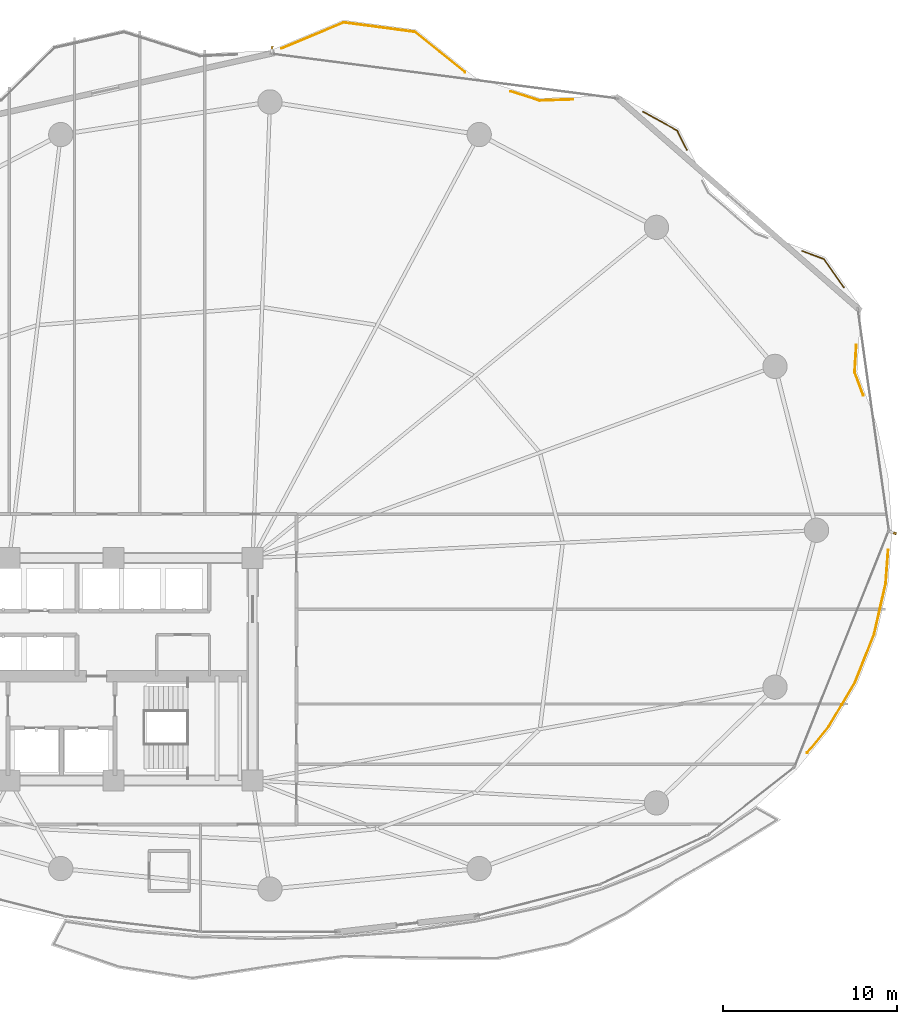
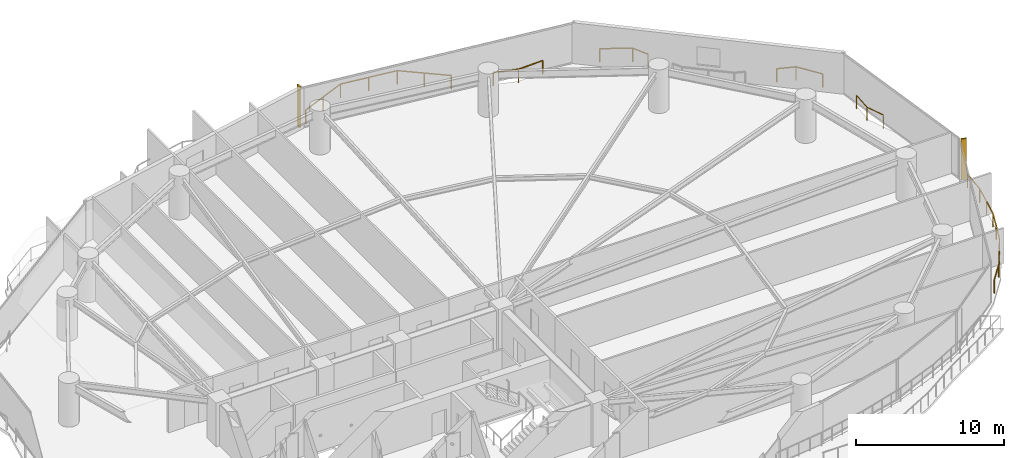
# One storey, part 31 of 31: 6 railings, 2 shading devices.
"""IFC4 building model written with IfcOpenShell, lengths in metres."""

import ifcopenshell
import ifcopenshell.guid

model = None  # the IFC model being written
_history = None  # IfcOwnerHistory: only IFC2X3 demands one
_inside = {}  # id of a spatial element -> (the spatial element, [elements in it])
_under = {}  # id of a project, library or spatial element -> (it, [spatial elements below it])
_declared = {}  # id of a project -> (the project, [libraries it declares])
_typed = {}  # id of a type object -> (the type object, [elements of that type])
_made_of = {}  # id of a material, layer set ... -> (it, [elements and type objects made of it])


def new_model(schema):
    """Start an empty IFC model of exactly this schema.

    Asked for "IFC4X3", IfcOpenShell would pick the latest addendum, in which some entities
    have other attributes; the version numbers below select the first issue.
    IFC2X3 requires an IfcOwnerHistory on every rooted entity: one is made here for all.
    """
    global model, _history
    if schema == "IFC4X3":
        model = ifcopenshell.file(schema_version=(4, 3, 0, 0))
    else:
        model = ifcopenshell.file(schema=schema)
    _inside.clear()
    _under.clear()
    _declared.clear()
    _typed.clear()
    _made_of.clear()
    _history = None
    if model.schema == "IFC2X3":
        org = make("IfcOrganization", Name="unknown")
        user = make(
            "IfcPersonAndOrganization",
            ThePerson=make("IfcPerson", FamilyName="unknown"),
            TheOrganization=org,
        )
        app = make(
            "IfcApplication",
            ApplicationDeveloper=org,
            Version="unknown",
            ApplicationFullName="unknown",
            ApplicationIdentifier="unknown",
        )
        _history = make(
            "IfcOwnerHistory",
            OwningUser=user,
            OwningApplication=app,
            ChangeAction="ADDED",
            CreationDate=0,
        )
    return model


def make(cls, **values):
    """One entity of the class cls with the attributes given. An attribute that is None is left unset."""
    return model.create_entity(
        cls, **{name: value for name, value in values.items() if value is not None}
    )


def rooted(cls, **values):
    """An entity with a GlobalId (a new one), such as an element, a storey or a relation."""
    return make(cls, GlobalId=ifcopenshell.guid.new(), OwnerHistory=_history, **values)


def si_unit(unit_type, name, prefix=None):
    """IfcSIUnit, for example si_unit("LENGTHUNIT", "METRE", prefix="MILLI")."""
    return make("IfcSIUnit", UnitType=unit_type, Prefix=prefix, Name=name)


def assignment(units):
    """IfcUnitAssignment: the units of a project."""
    return None if units is None else make("IfcUnitAssignment", Units=units)


def point(xyz):
    """IfcCartesianPoint."""
    return None if xyz is None else make("IfcCartesianPoint", Coordinates=xyz)


def direction(xyz):
    """IfcDirection."""
    return None if xyz is None else make("IfcDirection", DirectionRatios=xyz)


def frame(location, z_axis=None, x_axis=None):
    """IfcAxis2Placement3D, a coordinate frame: its origin and axes. An axis left out is left unset."""
    return make(
        "IfcAxis2Placement3D",
        Location=point(location),
        Axis=direction(z_axis),
        RefDirection=direction(x_axis),
    )


def frame_2d(location, x_axis=None):
    """IfcAxis2Placement2D, a coordinate frame in the plane: its origin and x axis."""
    return make(
        "IfcAxis2Placement2D", Location=point(location), RefDirection=direction(x_axis)
    )


def origin():
    """The frame at (0, 0, 0) with its axes left unset."""
    return frame((0.0, 0.0, 0.0))


def origin_2d():
    """The frame at (0, 0) in the plane with its x axis left unset."""
    return frame_2d((0.0, 0.0))


def place(relative_to, where):
    """IfcLocalPlacement: puts the frame where relative to a parent placement (None: the world)."""
    return make(
        "IfcLocalPlacement", PlacementRelTo=relative_to, RelativePlacement=where
    )


def context(
    kind, dimensions, precision=None, world=None, true_north=None, identifier=None
):
    """IfcGeometricRepresentationContext, for example the 3D "Model" context."""
    return make(
        "IfcGeometricRepresentationContext",
        ContextIdentifier=identifier,
        ContextType=kind,
        CoordinateSpaceDimension=dimensions,
        Precision=precision,
        WorldCoordinateSystem=world,
        TrueNorth=true_north,
    )


def subcontext(parent, identifier, kind, view, scale=None):
    """IfcGeometricRepresentationSubContext, for example "Body" below "Model"."""
    return make(
        "IfcGeometricRepresentationSubContext",
        ContextIdentifier=identifier,
        ContextType=kind,
        ParentContext=parent,
        TargetScale=scale,
        TargetView=view,
    )


def project(units=None, contexts=None):
    """IfcProject with its units and contexts."""
    return rooted(
        "IfcProject",
        Name="project",
        RepresentationContexts=contexts,
        UnitsInContext=assignment(units),
    )


def spatial(cls, under=None, at=None, **own):
    """A site, building, storey or space (cls), placed at a placement, below another one or the project."""
    s = rooted(cls, ObjectPlacement=at, **own)
    if under is not None:
        _under.setdefault(under.id(), (under, []))[1].append(s)
    return s


def profile(cls, at=None, kind="AREA", **sizes):
    """A parametric profile (cls). Its sizes go by their IFC names, for example OverallWidth=200.0."""
    return make(cls, ProfileType=kind, Position=at, **sizes)


def rectangle(**sizes):
    """IfcRectangleProfileDef."""
    return profile("IfcRectangleProfileDef", **sizes)


def extrude(swept, where, along, depth):
    """IfcExtrudedAreaSolid: the profile swept, set in the frame where, extruded along a direction by depth."""
    return make(
        "IfcExtrudedAreaSolid",
        SweptArea=swept,
        Position=where,
        ExtrudedDirection=direction(along),
        Depth=depth,
    )


def shape(context_of_items, identifier, shape_type, items):
    """IfcShapeRepresentation: the items that make up one representation, for example the "Body"."""
    return make(
        "IfcShapeRepresentation",
        ContextOfItems=context_of_items,
        RepresentationIdentifier=identifier,
        RepresentationType=shape_type,
        Items=items,
    )


def material(Name=None, Category=None):
    """IfcMaterial."""
    return make("IfcMaterial", Name=Name, Category=Category)


def made_of(thing, what):
    """Note that an element or type object is made of a material, layer set ...; save() writes the relation."""
    if what is not None:
        _made_of.setdefault(what.id(), (what, []))[1].append(thing)
    return thing


def type_object(cls, material=None, **own):
    """A type object (cls), such as IfcWallType, which elements share."""
    return made_of(rooted(cls, **own), material)


def element(
    cls,
    number,
    at=None,
    inside=None,
    cuts=None,
    type_object=None,
    material=None,
    context=None,
    identifier="Body",
    shape_type=None,
    held_by="IfcProductDefinitionShape",
    body=None,
    shapes=None,
    **own,
):
    """One element of the class cls, such as IfcWall. Its Tag is "e" and its number.

    at: its placement. inside: the storey or other place that contains it. cuts: it is an
    opening in that element (IfcRelVoidsElement). A single representation is given by context,
    identifier, shape_type and body (its items); several are given by shapes. held_by: the class
    of the entity that holds the representations. save() writes the other relations.
    """
    e = rooted(cls, Tag="e%d" % number, ObjectPlacement=at, **own)
    if body is not None:
        shapes = [shape(context, identifier, shape_type, body)]
    if shapes is not None:
        e.Representation = make(held_by, Representations=shapes)
    if inside is not None:
        _inside.setdefault(inside.id(), (inside, []))[1].append(e)
    if cuts is not None:
        rooted(
            "IfcRelVoidsElement", RelatingBuildingElement=cuts, RelatedOpeningElement=e
        )
    if type_object is not None:
        _typed.setdefault(type_object.id(), (type_object, []))[1].append(e)
    return made_of(e, material)


def aggregate(whole, parts):
    """IfcRelAggregates: a whole, such as a stair, and the parts it consists of."""
    return rooted("IfcRelAggregates", RelatingObject=whole, RelatedObjects=parts)


def save(model, path):
    """Write the relations noted so far, then the file.

    IfcRelAggregates (storeys below a building ...), IfcRelContainedInSpatialStructure (elements
    in a storey), IfcRelDefinesByType, IfcRelAssociatesMaterial and IfcRelDeclares: one each for
    every whole, place, type object, material and project.
    """
    for whole, parts in _under.values():
        aggregate(whole, parts)
    for where, things in _inside.values():
        rooted(
            "IfcRelContainedInSpatialStructure",
            RelatedElements=things,
            RelatingStructure=where,
        )
    for kind, things in _typed.values():
        rooted("IfcRelDefinesByType", RelatedObjects=things, RelatingType=kind)
    for what, things in _made_of.values():
        rooted("IfcRelAssociatesMaterial", RelatedObjects=things, RelatingMaterial=what)
    for by, libraries in _declared.values():
        rooted("IfcRelDeclares", RelatingContext=by, RelatedDefinitions=libraries)
    model.write(path)


model = new_model("IFC4")

# Units and contexts
model_context = context("Model", 3, precision=1e-05, world=origin(), true_north=direction((0.0, 1.0)))
body_context = subcontext(model_context, "Body", "Model", "MODEL_VIEW")
ifc_project = project(units=[si_unit("LENGTHUNIT", "METRE"), si_unit("AREAUNIT", "SQUARE_METRE"), si_unit("VOLUMEUNIT", "CUBIC_METRE"), si_unit("PLANEANGLEUNIT", "RADIAN"), si_unit("MASSUNIT", "GRAM", prefix="KILO")], contexts=[model_context])

# Site, building, storey
site_placement = place(None, origin())
site = spatial("IfcSite", under=ifc_project, at=site_placement, CompositionType="ELEMENT")
building_placement = place(site_placement, origin())
building = spatial("IfcBuilding", under=site, at=building_placement, Name="Kazevale Care Tower and Concert Hall", CompositionType="ELEMENT")
storey_placement = place(building_placement, frame((0.0, 0.0, 60.0)))
storey = spatial("IfcBuildingStorey", under=building, at=storey_placement, Name="L15", CompositionType="ELEMENT", Elevation=60.0)

# Railings
ifc_material_1 = material(Name="Anodised Bronze Aluminium and Laminated Glass", Category="aluminium")
railing_type = type_object("IfcRailingType", Name="Balcony and Terrace Balustrade 1120", PredefinedType="BALUSTRADE", material=ifc_material_1)
railing_1_placement = place(storey_placement, frame((45.662109375, 65.72509765625, 0.0)))
element("IfcRailing", 1, at=railing_1_placement, inside=storey, type_object=railing_type, Name="rail:L15:perim:6", PredefinedType="BALUSTRADE", context=body_context, shape_type="SweptSolid", body=[
    extrude(rectangle(XDim=0.048095703125, YDim=0.048095703125, at=origin_2d()), frame((0.0, 0.0, 1.09619140625), z_axis=(0.922935495633, 0.384954634861, 0.0), x_axis=(-0.384954634861, 0.922935495633, 0.0)), (0.0, 0.0, 1.0), 3.88330078125),
    extrude(rectangle(XDim=0.048095703125, YDim=0.048095703125, at=origin_2d()), frame((3.583984375, 1.494873046875, 1.09619140625), z_axis=(0.991270154013, -0.131846432499, 0.0), x_axis=(0.131846432499, 0.991270154013, 0.0)), (0.0, 0.0, 1.0), 4.133056640625),
    extrude(rectangle(XDim=0.048095703125, YDim=0.048095703125, at=origin_2d()), frame((7.680908203125, 0.949951171875, 1.09619140625), z_axis=(0.778836557987, -0.627226925397, 0.0), x_axis=(0.627226925397, 0.778836557987, 0.0)), (0.0, 0.0, 1.0), 3.687744140625),
    extrude(rectangle(XDim=0.0419921875, YDim=0.0419921875, at=origin_2d()), origin(), (0.0, 0.0, 1.0), 1.072021484375),
    extrude(rectangle(XDim=0.0419921875, YDim=0.0419921875, at=origin_2d()), frame((1.7919921875, 0.74755859375, 0.0)), (0.0, 0.0, 1.0), 1.072021484375),
    extrude(rectangle(XDim=0.0419921875, YDim=0.0419921875, at=origin_2d()), frame((3.583984375, 1.494873046875, 0.0)), (0.0, 0.0, 1.0), 1.072021484375),
    extrude(rectangle(XDim=0.0419921875, YDim=0.0419921875, at=origin_2d()), frame((5.63232421875, 1.222412109375, 0.0)), (0.0, 0.0, 1.0), 1.072021484375),
    extrude(rectangle(XDim=0.0419921875, YDim=0.0419921875, at=origin_2d()), frame((7.680908203125, 0.949951171875, 0.0)), (0.0, 0.0, 1.0), 1.072021484375),
    extrude(rectangle(XDim=0.0419921875, YDim=0.0419921875, at=origin_2d()), frame((9.116943359375, -0.20654296875, 0.0)), (0.0, 0.0, 1.0), 1.072021484375),
    extrude(rectangle(XDim=0.0419921875, YDim=0.0419921875, at=origin_2d()), frame((10.552978515625, -1.363037109375, 0.0)), (0.0, 0.0, 1.0), 1.072021484375),
])
railing_2_placement = place(storey_placement, frame((58.860107421875, 63.25390625, 0.0)))
element("IfcRailing", 2, at=railing_2_placement, inside=storey, type_object=railing_type, Name="rail:L15:perim:7", PredefinedType="BALUSTRADE", context=body_context, shape_type="SweptSolid", body=[
    extrude(rectangle(XDim=0.048095703125, YDim=0.048095703125, at=origin_2d()), frame((0.0, 0.0, 1.09619140625), z_axis=(0.952655744415, -0.304051036231, 0.0), x_axis=(0.304051036231, 0.952655744415, 0.0)), (0.0, 0.0, 1.0), 1.736083984375),
    extrude(rectangle(XDim=0.048095703125, YDim=0.048095703125, at=origin_2d()), frame((1.65380859375, -0.52783203125, 1.09619140625), z_axis=(0.999433903687, 0.033643307818, 0.0), x_axis=(-0.033643307818, 0.999433903687, 0.0)), (0.0, 0.0, 1.0), 1.93017578125),
    extrude(rectangle(XDim=0.0419921875, YDim=0.0419921875, at=origin_2d()), origin(), (0.0, 0.0, 1.0), 1.072021484375),
    extrude(rectangle(XDim=0.0419921875, YDim=0.0419921875, at=origin_2d()), frame((1.65380859375, -0.52783203125, 0.0)), (0.0, 0.0, 1.0), 1.072021484375),
    extrude(rectangle(XDim=0.0419921875, YDim=0.0419921875, at=origin_2d()), frame((3.5830078125, -0.462890625, 0.0)), (0.0, 0.0, 1.0), 1.072021484375),
])
railing_3_placement = place(storey_placement, frame((66.472900390625, 62.089111328125, 0.0)))
element("IfcRailing", 3, at=railing_3_placement, inside=storey, type_object=railing_type, Name="rail:L15:perim:8", PredefinedType="BALUSTRADE", context=body_context, shape_type="SweptSolid", body=[
    extrude(rectangle(XDim=0.048095703125, YDim=0.048095703125, at=origin_2d()), frame((0.0, 0.0, 1.09619140625), z_axis=(0.874275517838, -0.485430035029, 0.0), x_axis=(0.485430035029, 0.874275517838, 0.0)), (0.0, 0.0, 1.0), 2.239501953125),
    extrude(rectangle(XDim=0.048095703125, YDim=0.048095703125, at=origin_2d()), frame((1.9580078125, -1.087158203125, 1.09619140625), z_axis=(0.444046102308, -0.896003939179, 0.0), x_axis=(0.896003939179, 0.444046102308, 0.0)), (0.0, 0.0, 1.0), 1.234375),
    extrude(rectangle(XDim=0.0419921875, YDim=0.0419921875, at=origin_2d()), origin(), (0.0, 0.0, 1.0), 1.072021484375),
    extrude(rectangle(XDim=0.0419921875, YDim=0.0419921875, at=origin_2d()), frame((1.9580078125, -1.087158203125, 0.0)), (0.0, 0.0, 1.0), 1.072021484375),
    extrude(rectangle(XDim=0.0419921875, YDim=0.0419921875, at=origin_2d()), frame((2.506103515625, -2.193115234375, 0.0)), (0.0, 0.0, 1.0), 1.072021484375),
])
railing_4_placement = place(storey_placement, frame((75.635009765625, 54.069091796875, 0.0)))
element("IfcRailing", 4, at=railing_4_placement, inside=storey, type_object=railing_type, Name="rail:L15:perim:10", PredefinedType="BALUSTRADE", context=body_context, shape_type="SweptSolid", body=[
    extrude(rectangle(XDim=0.048095703125, YDim=0.048095703125, at=origin_2d()), frame((0.0, 0.0, 1.09619140625), z_axis=(0.936458028314, -0.35077964765, 0.0), x_axis=(0.35077964765, 0.936458028314, 0.0)), (0.0, 0.0, 1.0), 1.322998046875),
    extrude(rectangle(XDim=0.048095703125, YDim=0.048095703125, at=origin_2d()), frame((1.239013671875, -0.464111328125, 1.09619140625), z_axis=(0.576750616528, -0.816920269264, 0.0), x_axis=(0.816920269264, 0.576750616528, 0.0)), (0.0, 0.0, 1.0), 1.990478515625),
    extrude(rectangle(XDim=0.0419921875, YDim=0.0419921875, at=origin_2d()), origin(), (0.0, 0.0, 1.0), 1.072021484375),
    extrude(rectangle(XDim=0.0419921875, YDim=0.0419921875, at=origin_2d()), frame((1.239013671875, -0.464111328125, 0.0)), (0.0, 0.0, 1.0), 1.072021484375),
    extrude(rectangle(XDim=0.0419921875, YDim=0.0419921875, at=origin_2d()), frame((2.386962890625, -2.090087890625, 0.0)), (0.0, 0.0, 1.0), 1.072021484375),
])
railing_5_placement = place(storey_placement, frame((80.575927734375, 36.864990234375, 0.0)))
element("IfcRailing", 5, at=railing_5_placement, inside=storey, type_object=railing_type, Name="rail:L15:perim:11", PredefinedType="BALUSTRADE", context=body_context, shape_type="SweptSolid", body=[
    extrude(rectangle(XDim=0.048095703125, YDim=0.048095703125, at=origin_2d()), frame((0.0, 0.0, 1.09619140625), z_axis=(-0.072929321708, -0.99733711153, 0.0), x_axis=(0.99733711153, -0.072929321708, 0.0)), (0.0, 0.0, 1.0), 1.918212890625),
    extrude(rectangle(XDim=0.048095703125, YDim=0.048095703125, at=origin_2d()), frame((-0.139892578125, -1.9130859375, 1.09619140625), z_axis=(-0.22169815306, -0.975115341347, 0.0), x_axis=(0.975115341347, -0.22169815306, 0.0)), (0.0, 0.0, 1.0), 3.012939453125),
    extrude(rectangle(XDim=0.048095703125, YDim=0.048095703125, at=origin_2d()), frame((-0.807861328125, -4.85107421875, 1.09619140625), z_axis=(-0.369500413357, -0.92923056586, 0.0), x_axis=(0.92923056586, -0.369500413357, 0.0)), (0.0, 0.0, 1.0), 2.985107421875),
    extrude(rectangle(XDim=0.048095703125, YDim=0.048095703125, at=origin_2d()), frame((-1.910888671875, -7.625, 1.09619140625), z_axis=(-0.510655847211, -0.859785209055, 0.0), x_axis=(0.859785209055, -0.510655847211, 0.0)), (0.0, 0.0, 1.0), 2.986572265625),
    extrude(rectangle(XDim=0.048095703125, YDim=0.048095703125, at=origin_2d()), frame((-3.43603515625, -10.19287109375, 1.09619140625), z_axis=(-0.636478085384, -0.771294785945, 0.0), x_axis=(0.771294785945, -0.636478085384, 0.0)), (0.0, 0.0, 1.0), 1.90869140625),
    extrude(rectangle(XDim=0.0419921875, YDim=0.0419921875, at=origin_2d()), origin(), (0.0, 0.0, 1.0), 1.072021484375),
    extrude(rectangle(XDim=0.0419921875, YDim=0.0419921875, at=origin_2d()), frame((-0.139892578125, -1.9130859375, 0.0)), (0.0, 0.0, 1.0), 1.072021484375),
    extrude(rectangle(XDim=0.0419921875, YDim=0.0419921875, at=origin_2d()), frame((-0.473876953125, -3.382080078125, 0.0)), (0.0, 0.0, 1.0), 1.072021484375),
    extrude(rectangle(XDim=0.0419921875, YDim=0.0419921875, at=origin_2d()), frame((-0.807861328125, -4.85107421875, 0.0)), (0.0, 0.0, 1.0), 1.072021484375),
    extrude(rectangle(XDim=0.0419921875, YDim=0.0419921875, at=origin_2d()), frame((-1.359375, -6.238037109375, 0.0)), (0.0, 0.0, 1.0), 1.072021484375),
    extrude(rectangle(XDim=0.0419921875, YDim=0.0419921875, at=origin_2d()), frame((-1.910888671875, -7.625, 0.0)), (0.0, 0.0, 1.0), 1.072021484375),
    extrude(rectangle(XDim=0.0419921875, YDim=0.0419921875, at=origin_2d()), frame((-2.67333984375, -8.908935546875, 0.0)), (0.0, 0.0, 1.0), 1.072021484375),
    extrude(rectangle(XDim=0.0419921875, YDim=0.0419921875, at=origin_2d()), frame((-3.43603515625, -10.19287109375, 0.0)), (0.0, 0.0, 1.0), 1.072021484375),
    extrude(rectangle(XDim=0.0419921875, YDim=0.0419921875, at=origin_2d()), frame((-4.65087890625, -11.6650390625, 0.0)), (0.0, 0.0, 1.0), 1.072021484375),
])
railing_6_placement = place(storey_placement, frame((78.741943359375, 48.64794921875, 0.0)))
element("IfcRailing", 6, at=railing_6_placement, inside=storey, type_object=railing_type, Name="rail:L15:perim:12", PredefinedType="BALUSTRADE", context=body_context, shape_type="SweptSolid", body=[
    extrude(rectangle(XDim=0.048095703125, YDim=0.048095703125, at=origin_2d()), frame((0.0, 0.0, 1.09619140625), z_axis=(-0.059751650803, -0.998213273918, 0.0), x_axis=(0.998213273918, -0.059751650803, 0.0)), (0.0, 0.0, 1.0), 1.556640625),
    extrude(rectangle(XDim=0.048095703125, YDim=0.048095703125, at=origin_2d()), frame((-0.093017578125, -1.553955078125, 1.09619140625), z_axis=(0.350671286185, -0.936498611342, 0.0), x_axis=(0.936498611342, 0.350671286185, 0.0)), (0.0, 0.0, 1.0), 1.420166015625),
    extrude(rectangle(XDim=0.0419921875, YDim=0.0419921875, at=origin_2d()), origin(), (0.0, 0.0, 1.0), 1.072021484375),
    extrude(rectangle(XDim=0.0419921875, YDim=0.0419921875, at=origin_2d()), frame((-0.093017578125, -1.553955078125, 0.0)), (0.0, 0.0, 1.0), 1.072021484375),
    extrude(rectangle(XDim=0.0419921875, YDim=0.0419921875, at=origin_2d()), frame((0.405029296875, -2.884033203125, 0.0)), (0.0, 0.0, 1.0), 1.072021484375),
])

# Shading devices
ifc_material_2 = material(Name="Honed Ochre Limestone", Category="masonry")
shading_device_type = type_object("IfcShadingDeviceType", Name="Vertical Honed Limestone Fin FIN-01", PredefinedType="USERDEFINED", material=ifc_material_2)
for number, where, z_axis, x_axis, name in (
    (7, (80.861572265625, 37.860595703125, 0.0), (0.0, 0.0, 1.0), (0.928874213199, -0.370395324019, 0.0), "cw:L15:f01:fin"),
    (8, (45.110595703125, 65.676025390625, 0.0), (0.0, 0.0, 1.0), (0.128103248172, 0.991760837, 0.0), "cw:L15:f16:fin"),
):
    element("IfcShadingDevice", number, at=place(storey_placement, frame(where, z_axis=z_axis, x_axis=x_axis)), inside=storey, type_object=shading_device_type, Name=name, ObjectType="FIN", PredefinedType="USERDEFINED", context=body_context, shape_type="SweptSolid", body=[
        extrude(rectangle(XDim=0.3798828125, YDim=0.1201171875, at=origin_2d()), origin(), (0.0, 0.0, 1.0), 3.360107421875),
    ])

save(model, "model.ifc")
